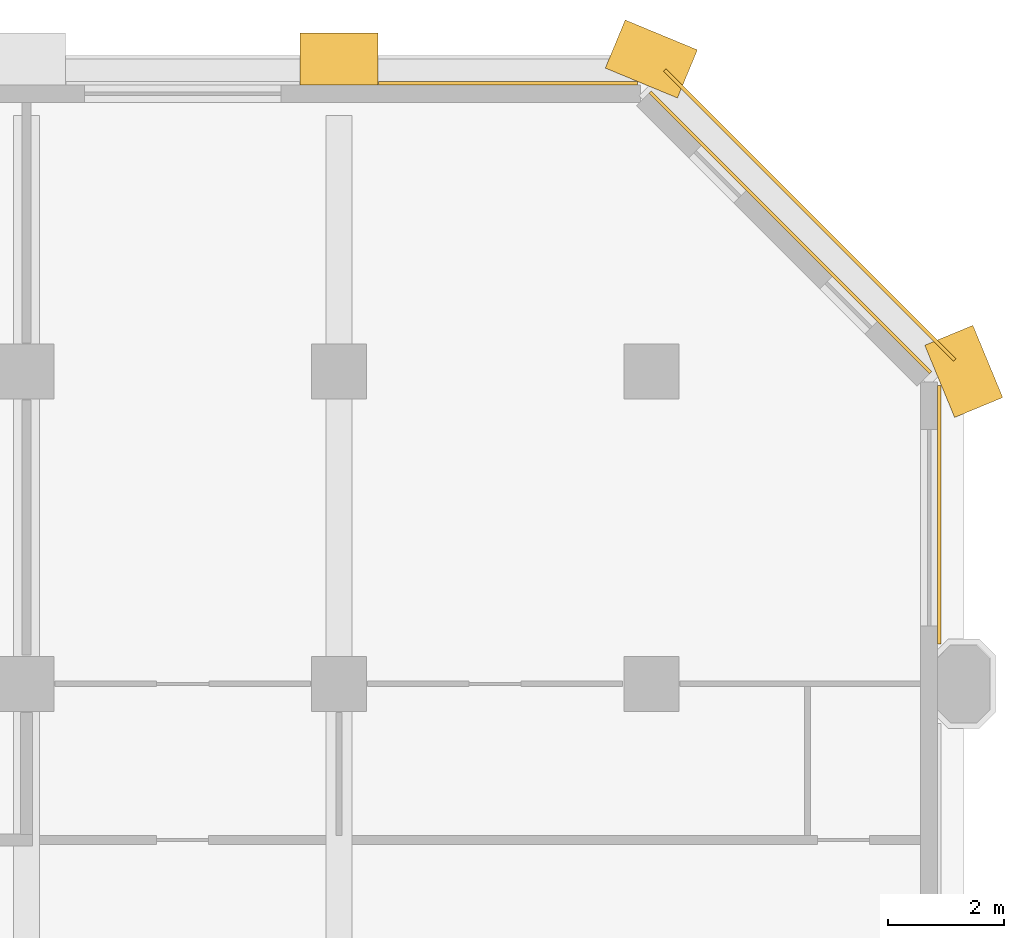
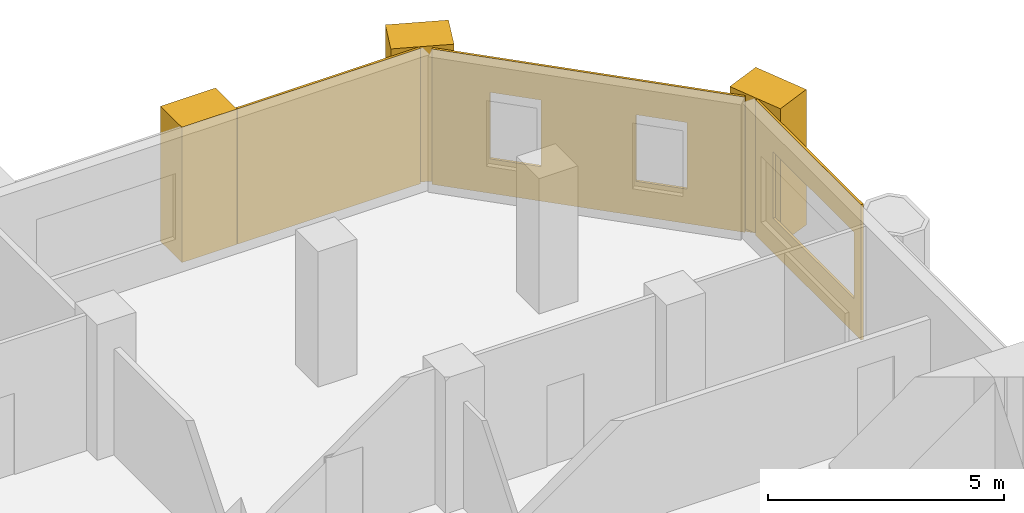
# One storey, part 13 of 13: 7 coverings.
"""IFC4 building model written with IfcOpenShell, lengths in metres."""

from ifc_helpers import new_model, si_unit, direction, frame, frame_2d, origin, place, context, subcontext, project, spatial, polyline, rectangle, outline, extrude, material, layer, layer_set, type_object, element, save


model = new_model("IFC4")

# Units and contexts
model_context = context("Model", 3, precision=1e-05, world=origin(), true_north=direction((0.0, 1.0)))
body_context = subcontext(model_context, "Body", "Model", "MODEL_VIEW")
ifc_project = project(units=[si_unit("LENGTHUNIT", "METRE"), si_unit("AREAUNIT", "SQUARE_METRE"), si_unit("VOLUMEUNIT", "CUBIC_METRE"), si_unit("PLANEANGLEUNIT", "RADIAN"), si_unit("MASSUNIT", "GRAM", prefix="KILO")], contexts=[model_context])

# Site, building, storey
site_placement = place(None, origin())
site = spatial("IfcSite", under=ifc_project, at=site_placement, CompositionType="ELEMENT")
building_placement = place(site_placement, origin())
building = spatial("IfcBuilding", under=site, at=building_placement, Name="Tabaq Tower and Sports Hall", CompositionType="ELEMENT")
storey_placement = place(building_placement, frame((0.0, 0.0, 114.39990234375)))
storey = spatial("IfcBuildingStorey", under=building, at=storey_placement, Name="L27", CompositionType="ELEMENT", Elevation=114.39990234375)

# Coverings
ifc_material_1 = material(Name="Precast concrete C60/75", Category="concrete")
ifc_layer_1 = layer(ifc_material_1, 0.06005859375)
ifc_layer_set_1 = layer_set([ifc_layer_1], Name="Edge beam cladding 60")
covering_type_1 = type_object("IfcCoveringType", Name="Edge beam cladding 60", PredefinedType="CLADDING", material=ifc_layer_set_1)
covering_1_placement = place(storey_placement, frame((43.04443359375, 43.39794921875, -0.2998046875), z_axis=(0.0, 0.0, 1.0), x_axis=(-0.707106781187, 0.707106781187, 0.0)))
element("IfcCovering", 1, at=covering_1_placement, inside=storey, type_object=covering_type_1, Name="Edge beam cladding L27 1", PredefinedType="CLADDING", context=body_context, shape_type="SweptSolid", body=[
    extrude(rectangle(XDim=7.08837890625, YDim=0.06005859375, at=frame_2d((3.544189453125, 0.0))), origin(), (0.0, 0.0, 1.0), 0.2998046875),
])
ifc_material_2 = material(Name="White precast concrete C60/75", Category="concrete")
covering_type_2 = type_object("IfcCoveringType", Name="Pier cladding hung 1350x900", PredefinedType="CLADDING", material=ifc_material_2)
covering_2_placement = place(storey_placement, frame((33.074951171875, 48.60009765625, 0.0), z_axis=(0.0, 0.0, 1.0), x_axis=(-1.0, 0.0, 0.0)))
element("IfcCovering", 2, at=covering_2_placement, inside=storey, type_object=covering_type_2, Name="Hung pier cladding 6/9", PredefinedType="CLADDING", context=body_context, shape_type="SweptSolid", body=[
    extrude(rectangle(XDim=1.349853515625, YDim=0.89990234375, at=frame_2d((0.6748046875, 0.0))), origin(), (0.0, 0.0, 1.0), 3.5),
])
for number, where, z_axis, x_axis, name in (
    (3, (38.423583984375, 48.341796875, 0.0), (0.0, 0.0, 1.0), (-0.923893411637, 0.382649923473, 0.0), "Hung pier cladding 7/9"),
    (4, (43.458251953125, 42.576416015625, 0.0), (0.0, 0.0, 1.0), (-0.382649923473, 0.923893411637, 0.0), "Hung pier cladding 8/8"),
):
    element("IfcCovering", number, at=place(storey_placement, frame(where, z_axis=z_axis, x_axis=x_axis)), inside=storey, type_object=covering_type_2, Name=name, PredefinedType="CLADDING", context=body_context, shape_type="SweptSolid", body=[
        extrude(rectangle(XDim=1.35009765625, YDim=0.89990234375, at=frame_2d((0.675048828125, 0.0))), origin(), (0.0, 0.0, 1.0), 3.5),
    ])
ifc_material_3 = material(Name="Precast concrete C60/75", Category="concrete")
ifc_layer_2 = layer(ifc_material_3, 0.06005859375)
ifc_layer_set_2 = layer_set([ifc_layer_2], Name="White precast cladding panel 60 C60/75")
covering_type_3 = type_object("IfcCoveringType", Name="White precast cladding panel 60 C60/75", PredefinedType="CLADDING", material=ifc_layer_set_2)
covering_3_placement = place(storey_placement, frame((42.780029296875, 38.485107421875, 0.0), z_axis=(0.0, 0.0, 1.0), x_axis=(0.0, 1.0, 0.0)))
element("IfcCovering", 5, at=covering_3_placement, inside=storey, type_object=covering_type_3, Name="White precast cladding panel L27 wall02-1 2", PredefinedType="CLADDING", context=body_context, shape_type="SweptSolid", body=[
    extrude(outline(polyline([(0.0, 0.0), (4.4716796875, 0.0), (4.4716796875, 3.5), (0.0, 3.5), (0.0, 0.0)]), holes=[polyline([(0.304931640625, 0.89013671875), (0.304931640625, 2.610107421875), (3.72509765625, 2.610107421875), (3.72509765625, 0.89013671875), (0.304931640625, 0.89013671875)])]), frame((0.0, 0.030029296875, 0.0), z_axis=(0.0, -1.0, 0.0), x_axis=(1.0, 0.0, 0.0)), (0.0, 0.0, 1.0), 0.06005859375),
])
covering_4_placement = place(storey_placement, frame((42.628173828125, 43.177734375, 0.0), z_axis=(0.0, 0.0, 1.0), x_axis=(-0.707088985397, 0.707124576528, 0.0)))
element("IfcCovering", 6, at=covering_4_placement, inside=storey, type_object=covering_type_3, Name="White precast cladding panel L27 wall03", PredefinedType="CLADDING", context=body_context, shape_type="SweptSolid", body=[
    extrude(outline(polyline([(0.0, 0.0), (6.859619140625, 0.0), (6.859619140625, 3.5), (0.0, 3.5), (0.0, 0.0)]), holes=[polyline([(1.269775390625, 2.610107421875), (2.389892578125, 2.610107421875), (2.389892578125, 0.89013671875), (1.269775390625, 0.89013671875), (1.269775390625, 2.610107421875)]), polyline([(4.4697265625, 2.610107421875), (5.58984375, 2.610107421875), (5.58984375, 0.89013671875), (4.4697265625, 0.89013671875), (4.4697265625, 2.610107421875)])]), frame((0.0, 0.030029296875, 0.0), z_axis=(0.0, -1.0, 0.0), x_axis=(1.0, 0.0, 0.0)), (0.0, 0.0, 1.0), 0.06005859375),
])
covering_5_placement = place(storey_placement, frame((37.556884765625, 48.179931640625, 0.0), z_axis=(0.0, 0.0, 1.0), x_axis=(-1.0, 0.0, 0.0)))
element("IfcCovering", 7, at=covering_5_placement, inside=storey, type_object=covering_type_3, Name="White precast cladding panel L27 wall04", PredefinedType="CLADDING", context=body_context, shape_type="SweptSolid", body=[
    extrude(rectangle(XDim=4.471923828125, YDim=0.06005859375, at=frame_2d((2.23583984375, 0.0))), origin(), (0.0, 0.0, 1.0), 3.5),
])

save(model, "model.ifc")
